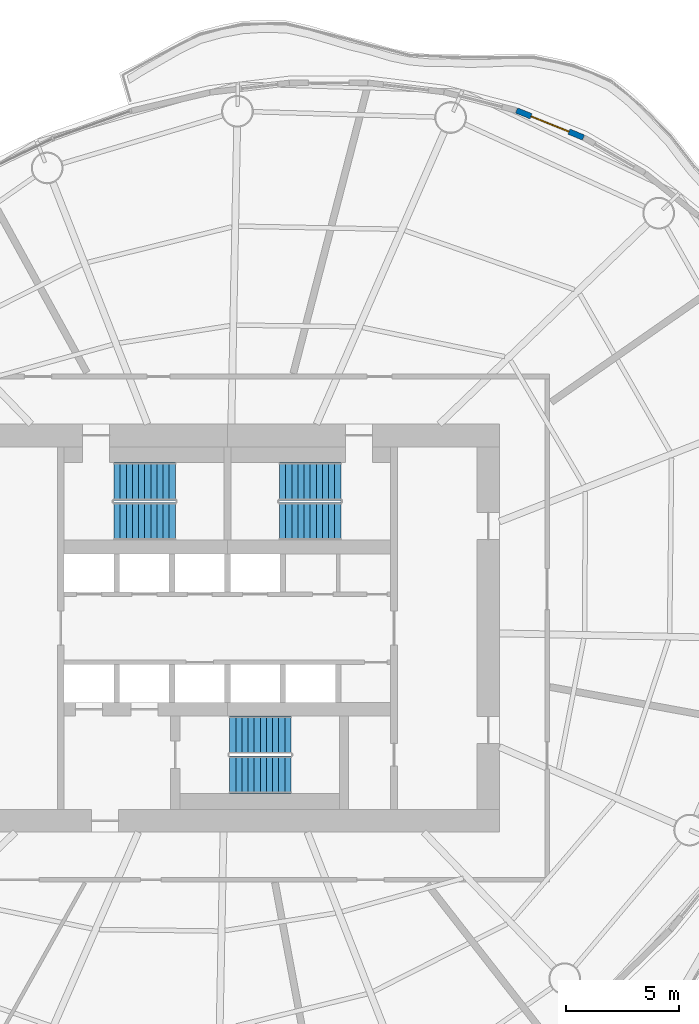
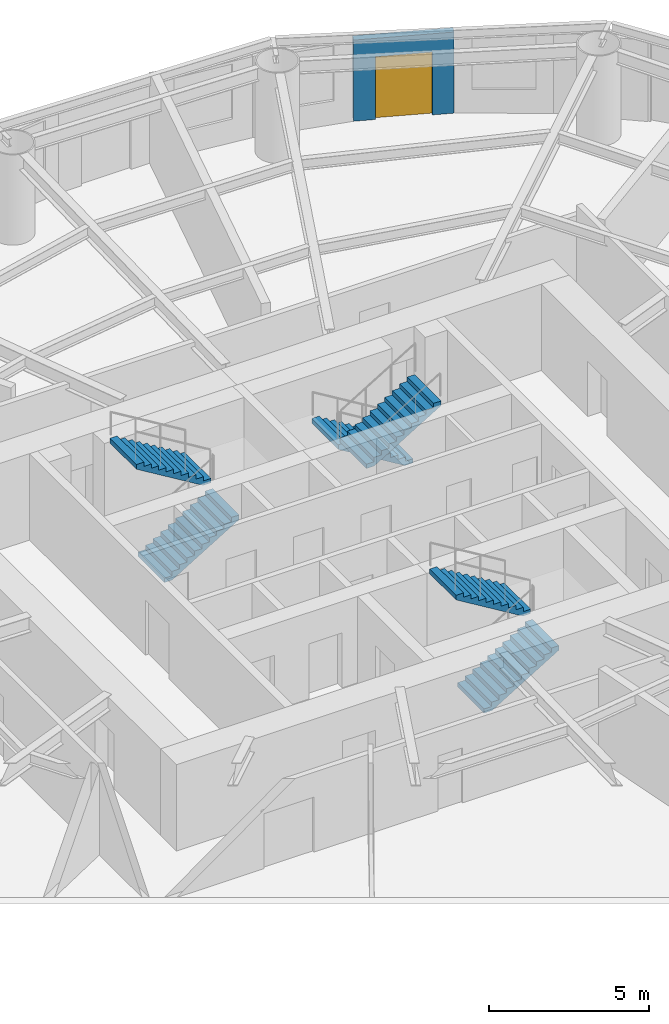
# One storey, part 11 of 14: 6 stair flights, 1 door, 1 wall, 1 opening, 3 elements without a shape of their own.
"""IFC4 building model written with IfcOpenShell, lengths in metres."""

from ifc_helpers import new_model, si_unit, direction, frame, frame_2d, origin, place, context, subcontext, project, spatial, polyline, rectangle, outline, extrude, material, layer, layer_set, type_object, element, fill, aggregate, save


model = new_model("IFC4")

# Units and contexts
model_context = context("Model", 3, precision=1e-05, world=origin(), true_north=direction((0.0, 1.0)))
body_context = subcontext(model_context, "Body", "Model", "MODEL_VIEW")
ifc_project = project(units=[si_unit("LENGTHUNIT", "METRE"), si_unit("AREAUNIT", "SQUARE_METRE"), si_unit("VOLUMEUNIT", "CUBIC_METRE"), si_unit("PLANEANGLEUNIT", "RADIAN"), si_unit("MASSUNIT", "GRAM", prefix="KILO")], contexts=[model_context])

# Site, building, storey
site_placement = place(None, origin())
site = spatial("IfcSite", under=ifc_project, at=site_placement, CompositionType="ELEMENT")
building_placement = place(site_placement, origin())
building = spatial("IfcBuilding", under=site, at=building_placement, Name="Vermilion Reach Broadcast Tower", CompositionType="ELEMENT")
storey_placement = place(building_placement, frame((0.0, 0.0, 150.60009765625)))
storey = spatial("IfcBuildingStorey", under=building, at=storey_placement, Name="L35", CompositionType="ELEMENT", Elevation=150.60009765625)

# Wall, opening, door
ifc_material_1 = material(Name="Terracotta rainscreen cladding", Category="masonry")
ifc_layer = layer(ifc_material_1, 0.25)
ifc_layer_set = layer_set([ifc_layer], Name="Terracotta rainscreen wall 250")
wall_type = type_object("IfcWallType", Name="Terracotta rainscreen wall 250", PredefinedType="SOLIDWALL", material=ifc_layer_set)
wall_placement = place(storey_placement, frame((9.703857421875, 21.643310546875, 0.0), z_axis=(0.0, 0.0, 1.0), x_axis=(-0.927146406079, 0.374699268339, 0.0)))
wall = element("IfcWall", 1, at=wall_placement, inside=storey, type_object=wall_type, Name="External wall L35 04", PredefinedType="SOLIDWALL", context=body_context, shape_type="SweptSolid", body=[
    extrude(rectangle(XDim=3.17822265625, YDim=0.25, at=frame_2d((1.589111328125, 0.0))), origin(), (0.0, 0.0, 1.0), 3.099853515625),
])
opening_placement = place(wall_placement, frame((0.68896484375, 0.0, 0.0)))
opening = element("IfcOpeningElement", 2, at=opening_placement, cuts=wall, Name="Opening D70", PredefinedType="OPENING", context=body_context, shape_type="SweptSolid", body=[
    extrude(rectangle(XDim=1.800048828125, YDim=2.39990234375, at=frame_2d((0.89990234375, 1.199951171875))), frame((0.0, 0.135009765625, 0.0), z_axis=(0.0, -1.0, 0.0), x_axis=(1.0, 0.0, 0.0)), (0.0, 0.0, 1.0), 0.27001953125),
])
ifc_material_2 = material(Name="Low-e laminated clear glass in aluminium frame", Category="aluminium")
door_type = type_object("IfcDoorType", Name="Balcony sliding door 1800 x 2400", OperationType="DOUBLE_DOOR_SLIDING", PredefinedType="DOOR", material=ifc_material_2)
door_placement = place(opening_placement, origin())
door = element("IfcDoor", 3, at=door_placement, inside=storey, type_object=door_type, Name="Balcony door L35 run 01", OperationType="DOUBLE_DOOR_SLIDING", OverallHeight=2.39990234375, OverallWidth=1.800048828125, PredefinedType="DOOR", context=body_context, shape_type="SweptSolid", body=[
    extrude(rectangle(XDim=1.800048828125, YDim=2.39990234375, at=frame_2d((0.89990234375, 1.199951171875))), frame((0.0, 0.02490234375, 0.0), z_axis=(0.0, -1.0, 0.0), x_axis=(1.0, 0.0, 0.0)), (0.0, 0.0, 1.0), 0.050048828125),
])
fill(opening, door)

# Stair, stair flights
ifc_material_3 = material(Name="Concrete C40", Category="concrete")
stair_type = type_object("IfcStairType", Name="Exit stair RC 22 risers 164 mm", PredefinedType="HALF_TURN_STAIR", material=ifc_material_3)
placement = place(storey_placement, origin())
stair_1 = element("IfcStair", 4, at=placement, inside=storey, type_object=stair_type, Name="L35 Exit stair ST1", PredefinedType="HALF_TURN_STAIR")
ifc_material_4 = material(Name="Concrete C40", Category="concrete")
stair_flight_type = type_object("IfcStairFlightType", Name="Exit stair flight RC 11 risers", PredefinedType="STRAIGHT", material=ifc_material_4)
stair_flight_1_placement = place(storey_placement, frame((-11.0, 4.7099609375, 0.0), z_axis=(0.0, 0.0, 1.0), x_axis=(1.0, 0.0, 0.0)))
stair_flight_1 = element("IfcStairFlight", 5, at=stair_flight_1_placement, type_object=stair_flight_type, Name="ST1 flight 1", NumberOfRisers=11, NumberOfTreads=10, PredefinedType="STRAIGHT", RiserHeight=0.163636364, TreadLength=0.27, context=body_context, shape_type="SweptSolid", body=[
    extrude(outline(polyline([(0.0, 0.0), (0.0, 0.16357421875), (0.27001953125, 0.16357421875), (0.27001953125, 0.327392578125), (0.5400390625, 0.327392578125), (0.5400390625, 0.490966796875), (0.81005859375, 0.490966796875), (0.81005859375, 0.654541015625), (1.080078125, 0.654541015625), (1.080078125, 0.818115234375), (1.35009765625, 0.818115234375), (1.35009765625, 0.98193359375), (1.6201171875, 0.98193359375), (1.6201171875, 1.1455078125), (1.889892578125, 1.1455078125), (1.889892578125, 1.30908203125), (2.159912109375, 1.30908203125), (2.159912109375, 1.47265625), (2.429931640625, 1.47265625), (2.429931640625, 1.636474609375), (2.699951171875, 1.636474609375), (2.699951171875, 1.800048828125), (2.699951171875, 1.461181640625), (0.289306640625, 0.0), (0.0, 0.0)])), frame((0.0, 0.830078125, 0.0), z_axis=(0.0, -1.0, 0.0), x_axis=(1.0, 0.0, 0.0)), (0.0, 0.0, 1.0), 1.659912109375),
])
stair_flight_2_placement = place(storey_placement, frame((-8.300048828125, 6.469970703125, 1.7998046875), z_axis=(0.0, 0.0, 1.0), x_axis=(-1.0, 0.0, 0.0)))
stair_flight_2 = element("IfcStairFlight", 6, at=stair_flight_2_placement, type_object=stair_flight_type, Name="ST1 flight 2", NumberOfRisers=11, NumberOfTreads=10, PredefinedType="STRAIGHT", RiserHeight=0.163636364, TreadLength=0.27, context=body_context, shape_type="SweptSolid", body=[
    extrude(outline(polyline([(0.0, 0.0), (0.0, 0.16357421875), (0.27001953125, 0.16357421875), (0.27001953125, 0.327392578125), (0.5400390625, 0.327392578125), (0.5400390625, 0.490966796875), (0.81005859375, 0.490966796875), (0.81005859375, 0.654541015625), (1.080078125, 0.654541015625), (1.080078125, 0.818115234375), (1.35009765625, 0.818115234375), (1.35009765625, 0.98193359375), (1.6201171875, 0.98193359375), (1.6201171875, 1.1455078125), (1.889892578125, 1.1455078125), (1.889892578125, 1.30908203125), (2.159912109375, 1.30908203125), (2.159912109375, 1.47265625), (2.429931640625, 1.47265625), (2.429931640625, 1.636474609375), (2.699951171875, 1.636474609375), (2.699951171875, 1.800048828125), (2.699951171875, 1.461181640625), (0.289306640625, 0.0), (0.0, 0.0)])), frame((0.0, 0.830078125, 0.0), z_axis=(0.0, -1.0, 0.0), x_axis=(1.0, 0.0, 0.0)), (0.0, 0.0, 1.0), 1.659912109375),
])
aggregate(stair_1, [stair_flight_1, stair_flight_2])

stair_2 = element("IfcStair", 7, at=placement, inside=storey, type_object=stair_type, Name="L35 Exit stair ST2", PredefinedType="HALF_TURN_STAIR")
stair_flight_3_placement = place(storey_placement, frame((-1.0, 6.469970703125, 0.0), z_axis=(0.0, 0.0, 1.0), x_axis=(-1.0, 0.0, 0.0)))
stair_flight_3 = element("IfcStairFlight", 8, at=stair_flight_3_placement, type_object=stair_flight_type, Name="ST2 flight 1", NumberOfRisers=11, NumberOfTreads=10, PredefinedType="STRAIGHT", RiserHeight=0.163636364, TreadLength=0.27, context=body_context, shape_type="SweptSolid", body=[
    extrude(outline(polyline([(0.0, 0.0), (0.0, 0.16357421875), (0.27001953125, 0.16357421875), (0.27001953125, 0.327392578125), (0.5400390625, 0.327392578125), (0.5400390625, 0.490966796875), (0.81005859375, 0.490966796875), (0.81005859375, 0.654541015625), (1.080078125, 0.654541015625), (1.080078125, 0.818115234375), (1.35009765625, 0.818115234375), (1.35009765625, 0.98193359375), (1.6201171875, 0.98193359375), (1.6201171875, 1.1455078125), (1.889892578125, 1.1455078125), (1.889892578125, 1.30908203125), (2.159912109375, 1.30908203125), (2.159912109375, 1.47265625), (2.429931640625, 1.47265625), (2.429931640625, 1.636474609375), (2.699951171875, 1.636474609375), (2.699951171875, 1.800048828125), (2.699951171875, 1.461181640625), (0.289306640625, 0.0), (0.0, 0.0)])), frame((0.0, 0.830078125, 0.0), z_axis=(0.0, -1.0, 0.0), x_axis=(1.0, 0.0, 0.0)), (0.0, 0.0, 1.0), 1.659912109375),
])
stair_flight_4_placement = place(storey_placement, frame((-3.699951171875, 4.7099609375, 1.7998046875), z_axis=(0.0, 0.0, 1.0), x_axis=(1.0, 0.0, 0.0)))
stair_flight_4 = element("IfcStairFlight", 9, at=stair_flight_4_placement, type_object=stair_flight_type, Name="ST2 flight 2", NumberOfRisers=11, NumberOfTreads=10, PredefinedType="STRAIGHT", RiserHeight=0.163636364, TreadLength=0.27, context=body_context, shape_type="SweptSolid", body=[
    extrude(outline(polyline([(0.0, 0.0), (0.0, 0.16357421875), (0.27001953125, 0.16357421875), (0.27001953125, 0.327392578125), (0.5400390625, 0.327392578125), (0.5400390625, 0.490966796875), (0.81005859375, 0.490966796875), (0.81005859375, 0.654541015625), (1.080078125, 0.654541015625), (1.080078125, 0.818115234375), (1.35009765625, 0.818115234375), (1.35009765625, 0.98193359375), (1.6201171875, 0.98193359375), (1.6201171875, 1.1455078125), (1.889892578125, 1.1455078125), (1.889892578125, 1.30908203125), (2.159912109375, 1.30908203125), (2.159912109375, 1.47265625), (2.429931640625, 1.47265625), (2.429931640625, 1.636474609375), (2.699951171875, 1.636474609375), (2.699951171875, 1.800048828125), (2.699951171875, 1.461181640625), (0.289306640625, 0.0), (0.0, 0.0)])), frame((0.0, 0.830078125, 0.0), z_axis=(0.0, -1.0, 0.0), x_axis=(1.0, 0.0, 0.0)), (0.0, 0.0, 1.0), 1.659912109375),
])
aggregate(stair_2, [stair_flight_3, stair_flight_4])

stair_3 = element("IfcStair", 10, at=placement, inside=storey, type_object=stair_type, Name="L35 Exit stair ST3", PredefinedType="HALF_TURN_STAIR")
stair_flight_5_placement = place(storey_placement, frame((-5.89990234375, -6.469970703125, 0.0), z_axis=(0.0, 0.0, 1.0), x_axis=(1.0, 0.0, 0.0)))
stair_flight_5 = element("IfcStairFlight", 11, at=stair_flight_5_placement, type_object=stair_flight_type, Name="ST3 flight 1", NumberOfRisers=11, NumberOfTreads=10, PredefinedType="STRAIGHT", RiserHeight=0.163636364, TreadLength=0.27, context=body_context, shape_type="SweptSolid", body=[
    extrude(outline(polyline([(0.0, 0.0), (0.0, 0.16357421875), (0.27001953125, 0.16357421875), (0.27001953125, 0.327392578125), (0.5400390625, 0.327392578125), (0.5400390625, 0.490966796875), (0.81005859375, 0.490966796875), (0.81005859375, 0.654541015625), (1.080078125, 0.654541015625), (1.080078125, 0.818115234375), (1.35009765625, 0.818115234375), (1.35009765625, 0.98193359375), (1.6201171875, 0.98193359375), (1.6201171875, 1.1455078125), (1.889892578125, 1.1455078125), (1.889892578125, 1.30908203125), (2.159912109375, 1.30908203125), (2.159912109375, 1.47265625), (2.429931640625, 1.47265625), (2.429931640625, 1.636474609375), (2.699951171875, 1.636474609375), (2.699951171875, 1.800048828125), (2.699951171875, 1.461181640625), (0.289306640625, 0.0), (0.0, 0.0)])), frame((0.0, 0.830078125, 0.0), z_axis=(0.0, -1.0, 0.0), x_axis=(1.0, 0.0, 0.0)), (0.0, 0.0, 1.0), 1.659912109375),
])
stair_flight_6_placement = place(storey_placement, frame((-3.199951171875, -4.7099609375, 1.7998046875), z_axis=(0.0, 0.0, 1.0), x_axis=(-1.0, 0.0, 0.0)))
stair_flight_6 = element("IfcStairFlight", 12, at=stair_flight_6_placement, type_object=stair_flight_type, Name="ST3 flight 2", NumberOfRisers=11, NumberOfTreads=10, PredefinedType="STRAIGHT", RiserHeight=0.163636364, TreadLength=0.27, context=body_context, shape_type="SweptSolid", body=[
    extrude(outline(polyline([(0.0, 0.0), (0.0, 0.16357421875), (0.27001953125, 0.16357421875), (0.27001953125, 0.327392578125), (0.5400390625, 0.327392578125), (0.5400390625, 0.490966796875), (0.81005859375, 0.490966796875), (0.81005859375, 0.654541015625), (1.080078125, 0.654541015625), (1.080078125, 0.818115234375), (1.35009765625, 0.818115234375), (1.35009765625, 0.98193359375), (1.6201171875, 0.98193359375), (1.6201171875, 1.1455078125), (1.889892578125, 1.1455078125), (1.889892578125, 1.30908203125), (2.159912109375, 1.30908203125), (2.159912109375, 1.47265625), (2.429931640625, 1.47265625), (2.429931640625, 1.636474609375), (2.699951171875, 1.636474609375), (2.699951171875, 1.800048828125), (2.699951171875, 1.461181640625), (0.289306640625, 0.0), (0.0, 0.0)])), frame((0.0, 0.830078125, 0.0), z_axis=(0.0, -1.0, 0.0), x_axis=(1.0, 0.0, 0.0)), (0.0, 0.0, 1.0), 1.659912109375),
])
aggregate(stair_3, [stair_flight_5, stair_flight_6])

save(model, "model.ifc")
